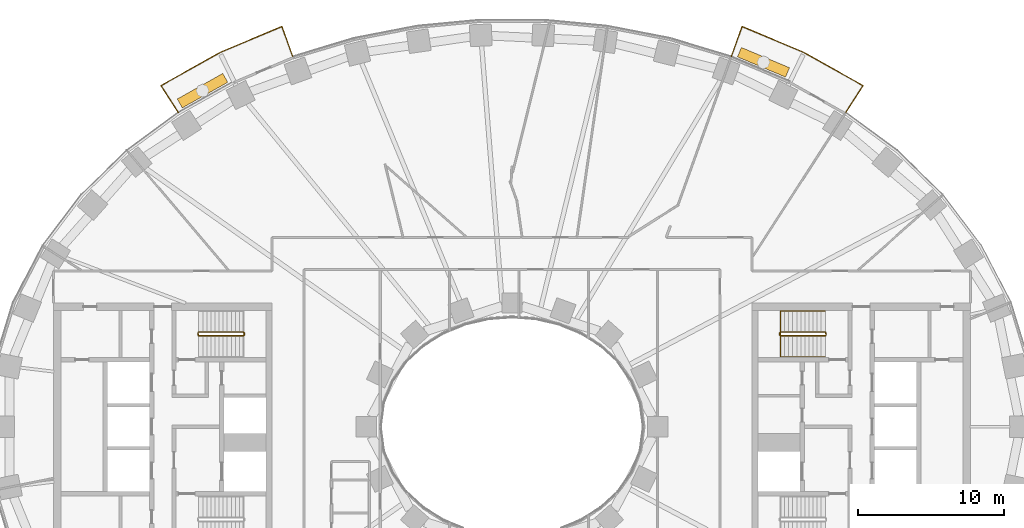
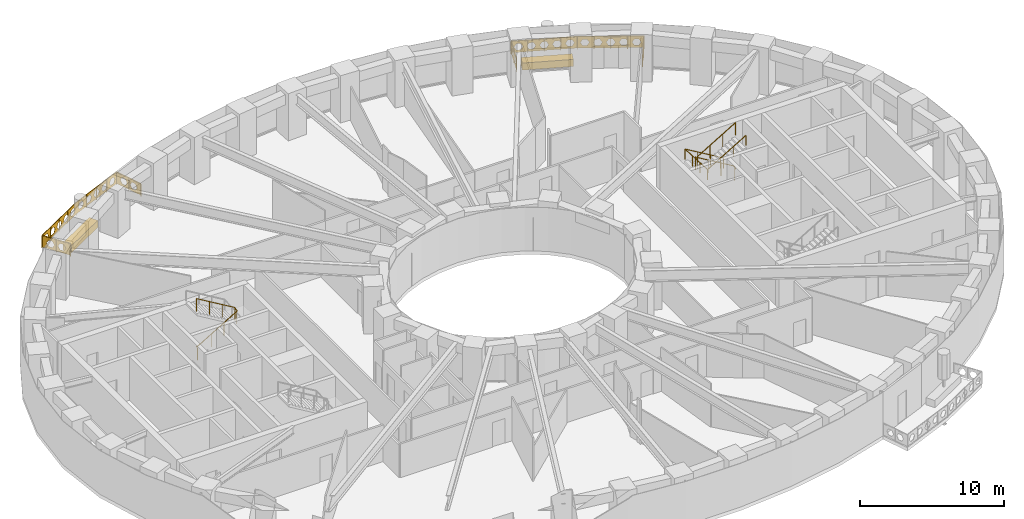
# One storey, part 14 of 15: 5 railings, 2 coverings.
"""IFC4 building model written with IfcOpenShell, lengths in metres."""

import ifcopenshell
import ifcopenshell.guid

model = None  # the IFC model being written
_history = None  # IfcOwnerHistory: only IFC2X3 demands one
_inside = {}  # id of a spatial element -> (the spatial element, [elements in it])
_under = {}  # id of a project, library or spatial element -> (it, [spatial elements below it])
_declared = {}  # id of a project -> (the project, [libraries it declares])
_typed = {}  # id of a type object -> (the type object, [elements of that type])
_made_of = {}  # id of a material, layer set ... -> (it, [elements and type objects made of it])


def new_model(schema):
    """Start an empty IFC model of exactly this schema.

    Asked for "IFC4X3", IfcOpenShell would pick the latest addendum, in which some entities
    have other attributes; the version numbers below select the first issue.
    IFC2X3 requires an IfcOwnerHistory on every rooted entity: one is made here for all.
    """
    global model, _history
    if schema == "IFC4X3":
        model = ifcopenshell.file(schema_version=(4, 3, 0, 0))
    else:
        model = ifcopenshell.file(schema=schema)
    _inside.clear()
    _under.clear()
    _declared.clear()
    _typed.clear()
    _made_of.clear()
    _history = None
    if model.schema == "IFC2X3":
        org = make("IfcOrganization", Name="unknown")
        user = make(
            "IfcPersonAndOrganization",
            ThePerson=make("IfcPerson", FamilyName="unknown"),
            TheOrganization=org,
        )
        app = make(
            "IfcApplication",
            ApplicationDeveloper=org,
            Version="unknown",
            ApplicationFullName="unknown",
            ApplicationIdentifier="unknown",
        )
        _history = make(
            "IfcOwnerHistory",
            OwningUser=user,
            OwningApplication=app,
            ChangeAction="ADDED",
            CreationDate=0,
        )
    return model


def make(cls, **values):
    """One entity of the class cls with the attributes given. An attribute that is None is left unset."""
    return model.create_entity(
        cls, **{name: value for name, value in values.items() if value is not None}
    )


def rooted(cls, **values):
    """An entity with a GlobalId (a new one), such as an element, a storey or a relation."""
    return make(cls, GlobalId=ifcopenshell.guid.new(), OwnerHistory=_history, **values)


def si_unit(unit_type, name, prefix=None):
    """IfcSIUnit, for example si_unit("LENGTHUNIT", "METRE", prefix="MILLI")."""
    return make("IfcSIUnit", UnitType=unit_type, Prefix=prefix, Name=name)


def assignment(units):
    """IfcUnitAssignment: the units of a project."""
    return None if units is None else make("IfcUnitAssignment", Units=units)


def point(xyz):
    """IfcCartesianPoint."""
    return None if xyz is None else make("IfcCartesianPoint", Coordinates=xyz)


def direction(xyz):
    """IfcDirection."""
    return None if xyz is None else make("IfcDirection", DirectionRatios=xyz)


def frame(location, z_axis=None, x_axis=None):
    """IfcAxis2Placement3D, a coordinate frame: its origin and axes. An axis left out is left unset."""
    return make(
        "IfcAxis2Placement3D",
        Location=point(location),
        Axis=direction(z_axis),
        RefDirection=direction(x_axis),
    )


def frame_2d(location, x_axis=None):
    """IfcAxis2Placement2D, a coordinate frame in the plane: its origin and x axis."""
    return make(
        "IfcAxis2Placement2D", Location=point(location), RefDirection=direction(x_axis)
    )


def origin():
    """The frame at (0, 0, 0) with its axes left unset."""
    return frame((0.0, 0.0, 0.0))


def origin_2d():
    """The frame at (0, 0) in the plane with its x axis left unset."""
    return frame_2d((0.0, 0.0))


def place(relative_to, where):
    """IfcLocalPlacement: puts the frame where relative to a parent placement (None: the world)."""
    return make(
        "IfcLocalPlacement", PlacementRelTo=relative_to, RelativePlacement=where
    )


def context(
    kind, dimensions, precision=None, world=None, true_north=None, identifier=None
):
    """IfcGeometricRepresentationContext, for example the 3D "Model" context."""
    return make(
        "IfcGeometricRepresentationContext",
        ContextIdentifier=identifier,
        ContextType=kind,
        CoordinateSpaceDimension=dimensions,
        Precision=precision,
        WorldCoordinateSystem=world,
        TrueNorth=true_north,
    )


def subcontext(parent, identifier, kind, view, scale=None):
    """IfcGeometricRepresentationSubContext, for example "Body" below "Model"."""
    return make(
        "IfcGeometricRepresentationSubContext",
        ContextIdentifier=identifier,
        ContextType=kind,
        ParentContext=parent,
        TargetScale=scale,
        TargetView=view,
    )


def project(units=None, contexts=None):
    """IfcProject with its units and contexts."""
    return rooted(
        "IfcProject",
        Name="project",
        RepresentationContexts=contexts,
        UnitsInContext=assignment(units),
    )


def spatial(cls, under=None, at=None, **own):
    """A site, building, storey or space (cls), placed at a placement, below another one or the project."""
    s = rooted(cls, ObjectPlacement=at, **own)
    if under is not None:
        _under.setdefault(under.id(), (under, []))[1].append(s)
    return s


def polyline(points):
    """IfcPolyline through the points."""
    return make("IfcPolyline", Points=[point(p) for p in points])


def profile(cls, at=None, kind="AREA", **sizes):
    """A parametric profile (cls). Its sizes go by their IFC names, for example OverallWidth=200.0."""
    return make(cls, ProfileType=kind, Position=at, **sizes)


def rectangle(**sizes):
    """IfcRectangleProfileDef."""
    return profile("IfcRectangleProfileDef", **sizes)


def outline(outer, holes=None, kind="AREA"):
    """IfcArbitraryClosedProfileDef: a profile drawn as a closed curve; with holes, ...WithVoids."""
    if holes is None:
        return make("IfcArbitraryClosedProfileDef", ProfileType=kind, OuterCurve=outer)
    return make(
        "IfcArbitraryProfileDefWithVoids",
        ProfileType=kind,
        OuterCurve=outer,
        InnerCurves=holes,
    )


def extrude(swept, where, along, depth):
    """IfcExtrudedAreaSolid: the profile swept, set in the frame where, extruded along a direction by depth."""
    return make(
        "IfcExtrudedAreaSolid",
        SweptArea=swept,
        Position=where,
        ExtrudedDirection=direction(along),
        Depth=depth,
    )


def shape(context_of_items, identifier, shape_type, items):
    """IfcShapeRepresentation: the items that make up one representation, for example the "Body"."""
    return make(
        "IfcShapeRepresentation",
        ContextOfItems=context_of_items,
        RepresentationIdentifier=identifier,
        RepresentationType=shape_type,
        Items=items,
    )


def material(Name=None, Category=None):
    """IfcMaterial."""
    return make("IfcMaterial", Name=Name, Category=Category)


def made_of(thing, what):
    """Note that an element or type object is made of a material, layer set ...; save() writes the relation."""
    if what is not None:
        _made_of.setdefault(what.id(), (what, []))[1].append(thing)
    return thing


def type_object(cls, material=None, **own):
    """A type object (cls), such as IfcWallType, which elements share."""
    return made_of(rooted(cls, **own), material)


def element(
    cls,
    number,
    at=None,
    inside=None,
    cuts=None,
    type_object=None,
    material=None,
    context=None,
    identifier="Body",
    shape_type=None,
    held_by="IfcProductDefinitionShape",
    body=None,
    shapes=None,
    **own,
):
    """One element of the class cls, such as IfcWall. Its Tag is "e" and its number.

    at: its placement. inside: the storey or other place that contains it. cuts: it is an
    opening in that element (IfcRelVoidsElement). A single representation is given by context,
    identifier, shape_type and body (its items); several are given by shapes. held_by: the class
    of the entity that holds the representations. save() writes the other relations.
    """
    e = rooted(cls, Tag="e%d" % number, ObjectPlacement=at, **own)
    if body is not None:
        shapes = [shape(context, identifier, shape_type, body)]
    if shapes is not None:
        e.Representation = make(held_by, Representations=shapes)
    if inside is not None:
        _inside.setdefault(inside.id(), (inside, []))[1].append(e)
    if cuts is not None:
        rooted(
            "IfcRelVoidsElement", RelatingBuildingElement=cuts, RelatedOpeningElement=e
        )
    if type_object is not None:
        _typed.setdefault(type_object.id(), (type_object, []))[1].append(e)
    return made_of(e, material)


def aggregate(whole, parts):
    """IfcRelAggregates: a whole, such as a stair, and the parts it consists of."""
    return rooted("IfcRelAggregates", RelatingObject=whole, RelatedObjects=parts)


def save(model, path):
    """Write the relations noted so far, then the file.

    IfcRelAggregates (storeys below a building ...), IfcRelContainedInSpatialStructure (elements
    in a storey), IfcRelDefinesByType, IfcRelAssociatesMaterial and IfcRelDeclares: one each for
    every whole, place, type object, material and project.
    """
    for whole, parts in _under.values():
        aggregate(whole, parts)
    for where, things in _inside.values():
        rooted(
            "IfcRelContainedInSpatialStructure",
            RelatedElements=things,
            RelatingStructure=where,
        )
    for kind, things in _typed.values():
        rooted("IfcRelDefinesByType", RelatedObjects=things, RelatingType=kind)
    for what, things in _made_of.values():
        rooted("IfcRelAssociatesMaterial", RelatedObjects=things, RelatingMaterial=what)
    for by, libraries in _declared.values():
        rooted("IfcRelDeclares", RelatingContext=by, RelatedDefinitions=libraries)
    model.write(path)


model = new_model("IFC4")

# Units and contexts
model_context = context("Model", 3, precision=1e-05, world=origin(), true_north=direction((0.0, 1.0)))
body_context = subcontext(model_context, "Body", "Model", "MODEL_VIEW")
ifc_project = project(units=[si_unit("LENGTHUNIT", "METRE"), si_unit("AREAUNIT", "SQUARE_METRE"), si_unit("VOLUMEUNIT", "CUBIC_METRE"), si_unit("PLANEANGLEUNIT", "RADIAN"), si_unit("MASSUNIT", "GRAM", prefix="KILO")], contexts=[model_context])

# Site, building, storey
site_placement = place(None, origin())
site = spatial("IfcSite", under=ifc_project, at=site_placement, CompositionType="ELEMENT")
building_placement = place(site_placement, origin())
building = spatial("IfcBuilding", under=site, at=building_placement, Name="Noorbagh Ring Tower", CompositionType="ELEMENT")
storey_placement = place(building_placement, frame((0.0, 0.0, 38.5)))
storey = spatial("IfcBuildingStorey", under=building, at=storey_placement, Name="L07", CompositionType="ELEMENT", Elevation=38.5)

# Railings
ifc_material_1 = material(Name="Stainless steel", Category="steel")
railing_type_1 = type_object("IfcRailingType", Name="CORE-STAIR-GUARD", PredefinedType="GUARDRAIL", material=ifc_material_1)
railing_1_placement = place(storey_placement, frame((-21.580078125, 6.300048828125, 0.0)))
element("IfcRailing", 1, at=railing_1_placement, inside=storey, type_object=railing_type_1, Name="L07 ST1 stair guard", PredefinedType="GUARDRAIL", context=body_context, shape_type="SweptSolid", body=[
    extrude(rectangle(XDim=0.048095703125, YDim=0.048095703125, at=origin_2d()), frame((0.0, 0.0, 1.076171875), z_axis=(0.0, 1.0, 0.0), x_axis=(-1.0, 0.0, 0.0)), (0.0, 0.0, 1.0), 0.14990234375),
    extrude(rectangle(XDim=0.048095703125, YDim=0.048095703125, at=origin_2d()), frame((0.0, 0.14990234375, 1.076171875), z_axis=(0.188775798145, -0.754182335027, 0.628945707965), x_axis=(0.970072785993, 0.242814311512, 0.0)), (0.0, 0.0, 1.0), 0.26513671875),
    extrude(rectangle(XDim=0.048095703125, YDim=0.048095703125, at=origin_2d()), frame((0.050048828125, -0.050048828125, 1.24267578125), z_axis=(0.859308565015, 0.0, 0.511457515432), x_axis=(0.0, 1.0, 0.0)), (0.0, 0.0, 1.0), 3.58447265625),
    extrude(rectangle(XDim=0.048095703125, YDim=0.048095703125, at=origin_2d()), frame((3.130126953125, -0.050048828125, 3.076171875), z_axis=(0.707106781187, 0.707106781187, 0.0), x_axis=(-0.707106781187, 0.707106781187, 0.0)), (0.0, 0.0, 1.0), 0.07080078125),
    extrude(rectangle(XDim=0.048095703125, YDim=0.048095703125, at=origin_2d()), frame((3.18017578125, 0.0, 3.076171875), z_axis=(0.0, 1.0, 0.0), x_axis=(-1.0, 0.0, 0.0)), (0.0, 0.0, 1.0), 0.14990234375),
    extrude(rectangle(XDim=0.048095703125, YDim=0.048095703125, at=origin_2d()), frame((3.18017578125, 0.14990234375, 3.076171875), z_axis=(-0.27628659633, 0.27628659633, 0.920506074601), x_axis=(-0.707106781187, -0.707106781187, 0.0)), (0.0, 0.0, 1.0), 0.18115234375),
    extrude(rectangle(XDim=0.048095703125, YDim=0.048095703125, at=origin_2d()), frame((3.130126953125, 0.199951171875, 3.24267578125), z_axis=(-0.859308565015, 0.0, 0.511457515432), x_axis=(0.0, -1.0, 0.0)), (0.0, 0.0, 1.0), 3.58447265625),
    extrude(rectangle(XDim=0.0419921875, YDim=0.0419921875, at=origin_2d()), origin(), (0.0, 0.0, 1.0), 1.052001953125),
    extrude(rectangle(XDim=0.0419921875, YDim=0.0419921875, at=origin_2d()), frame((1.07666015625, -0.050048828125, 0.77783203125)), (0.0, 0.0, 1.0), 1.052001953125),
    extrude(rectangle(XDim=0.0419921875, YDim=0.0419921875, at=origin_2d()), frame((2.103515625, -0.050048828125, 1.388916015625)), (0.0, 0.0, 1.0), 1.052001953125),
    extrude(rectangle(XDim=0.0419921875, YDim=0.0419921875, at=origin_2d()), frame((3.130126953125, -0.050048828125, 2.0)), (0.0, 0.0, 1.0), 1.052001953125),
    extrude(rectangle(XDim=0.0419921875, YDim=0.0419921875, at=origin_2d()), frame((3.130126953125, 0.199951171875, 2.166748046875)), (0.0, 0.0, 1.0), 1.052001953125),
    extrude(rectangle(XDim=0.0419921875, YDim=0.0419921875, at=origin_2d()), frame((2.103515625, 0.199951171875, 2.77783203125)), (0.0, 0.0, 1.0), 1.052001953125),
    extrude(rectangle(XDim=0.0419921875, YDim=0.0419921875, at=origin_2d()), frame((1.07666015625, 0.199951171875, 3.388916015625)), (0.0, 0.0, 1.0), 1.052001953125),
    extrude(rectangle(XDim=0.0419921875, YDim=0.0419921875, at=origin_2d()), frame((0.050048828125, 0.199951171875, 4.0)), (0.0, 0.0, 1.0), 1.052001953125),
])
railing_2_placement = place(storey_placement, frame((21.580078125, 6.449951171875, 0.0)))
element("IfcRailing", 2, at=railing_2_placement, inside=storey, type_object=railing_type_1, Name="L07 ST3 stair guard", PredefinedType="GUARDRAIL", context=body_context, shape_type="SweptSolid", body=[
    extrude(rectangle(XDim=0.048095703125, YDim=0.048095703125, at=origin_2d()), frame((0.0, 0.0, 1.076171875), z_axis=(0.0, -1.0, 0.0), x_axis=(1.0, 0.0, 0.0)), (0.0, 0.0, 1.0), 0.14990234375),
    extrude(rectangle(XDim=0.048095703125, YDim=0.048095703125, at=origin_2d()), frame((0.0, -0.14990234375, 1.076171875), z_axis=(-0.188775798145, 0.754182335027, 0.628945707965), x_axis=(-0.970072785993, -0.242814311512, 0.0)), (0.0, 0.0, 1.0), 0.26513671875),
    extrude(rectangle(XDim=0.048095703125, YDim=0.048095703125, at=origin_2d()), frame((-0.050048828125, 0.050048828125, 1.24267578125), z_axis=(-0.859308565015, 0.0, 0.511457515432), x_axis=(0.0, -1.0, 0.0)), (0.0, 0.0, 1.0), 3.58447265625),
    extrude(rectangle(XDim=0.048095703125, YDim=0.048095703125, at=origin_2d()), frame((-3.130126953125, 0.050048828125, 3.076171875), z_axis=(-0.707106781187, -0.707106781187, 0.0), x_axis=(0.707106781187, -0.707106781187, 0.0)), (0.0, 0.0, 1.0), 0.07080078125),
    extrude(rectangle(XDim=0.048095703125, YDim=0.048095703125, at=origin_2d()), frame((-3.18017578125, 0.0, 3.076171875), z_axis=(0.0, -1.0, 0.0), x_axis=(1.0, 0.0, 0.0)), (0.0, 0.0, 1.0), 0.14990234375),
    extrude(rectangle(XDim=0.048095703125, YDim=0.048095703125, at=origin_2d()), frame((-3.18017578125, -0.14990234375, 3.076171875), z_axis=(0.27628659633, -0.27628659633, 0.920506074601), x_axis=(0.707106781187, 0.707106781187, 0.0)), (0.0, 0.0, 1.0), 0.18115234375),
    extrude(rectangle(XDim=0.048095703125, YDim=0.048095703125, at=origin_2d()), frame((-3.130126953125, -0.199951171875, 3.24267578125), z_axis=(0.859308565015, 0.0, 0.511457515432), x_axis=(0.0, 1.0, 0.0)), (0.0, 0.0, 1.0), 3.58447265625),
    extrude(rectangle(XDim=0.0419921875, YDim=0.0419921875, at=origin_2d()), origin(), (0.0, 0.0, 1.0), 1.052001953125),
    extrude(rectangle(XDim=0.0419921875, YDim=0.0419921875, at=origin_2d()), frame((-1.07666015625, 0.050048828125, 0.77783203125)), (0.0, 0.0, 1.0), 1.052001953125),
    extrude(rectangle(XDim=0.0419921875, YDim=0.0419921875, at=origin_2d()), frame((-2.103515625, 0.050048828125, 1.388916015625)), (0.0, 0.0, 1.0), 1.052001953125),
    extrude(rectangle(XDim=0.0419921875, YDim=0.0419921875, at=origin_2d()), frame((-3.130126953125, 0.050048828125, 2.0)), (0.0, 0.0, 1.0), 1.052001953125),
    extrude(rectangle(XDim=0.0419921875, YDim=0.0419921875, at=origin_2d()), frame((-3.130126953125, -0.199951171875, 2.166748046875)), (0.0, 0.0, 1.0), 1.052001953125),
    extrude(rectangle(XDim=0.0419921875, YDim=0.0419921875, at=origin_2d()), frame((-2.103515625, -0.199951171875, 2.77783203125)), (0.0, 0.0, 1.0), 1.052001953125),
    extrude(rectangle(XDim=0.0419921875, YDim=0.0419921875, at=origin_2d()), frame((-1.07666015625, -0.199951171875, 3.388916015625)), (0.0, 0.0, 1.0), 1.052001953125),
    extrude(rectangle(XDim=0.0419921875, YDim=0.0419921875, at=origin_2d()), frame((-0.050048828125, -0.199951171875, 4.0)), (0.0, 0.0, 1.0), 1.052001953125),
])
ifc_material_2 = material(Name="Stainless steel", Category="steel")
railing_type_2 = type_object("IfcRailingType", Name="CORE-STAIR-HANDRAIL", PredefinedType="HANDRAIL", material=ifc_material_2)
railing_3_placement = place(storey_placement, frame((21.530029296875, 7.949951171875, 0.166748046875)))
element("IfcRailing", 3, at=railing_3_placement, inside=storey, type_object=railing_type_2, Name="L07 ST3 stair handrail", PredefinedType="HANDRAIL", context=body_context, shape_type="SweptSolid", body=[
    extrude(rectangle(XDim=0.048095703125, YDim=0.048095703125, at=origin_2d()), frame((0.0, 0.0, 0.8759765625), z_axis=(-0.859308565015, 0.0, 0.511457515432), x_axis=(0.0, -1.0, 0.0)), (0.0, 0.0, 1.0), 3.58447265625),
    extrude(rectangle(XDim=0.048095703125, YDim=0.048095703125, at=origin_2d()), frame((-3.080078125, 0.0, 2.708984375), z_axis=(0.0, -0.998601747152, 0.052863509014), x_axis=(1.0, 0.0, 0.0)), (0.0, 0.0, 1.0), 3.154296875),
    extrude(rectangle(XDim=0.048095703125, YDim=0.048095703125, at=origin_2d()), frame((-3.080078125, -3.14990234375, 2.8759765625), z_axis=(0.859308565015, 0.0, 0.511457515432), x_axis=(0.0, 1.0, 0.0)), (0.0, 0.0, 1.0), 3.58447265625),
    extrude(rectangle(XDim=0.0419921875, YDim=0.0419921875, at=origin_2d()), origin(), (0.0, 0.0, 1.0), 0.851806640625),
    extrude(rectangle(XDim=0.0419921875, YDim=0.0419921875, at=origin_2d()), frame((-1.026611328125, 0.0, 0.611083984375)), (0.0, 0.0, 1.0), 0.851806640625),
    extrude(rectangle(XDim=0.0419921875, YDim=0.0419921875, at=origin_2d()), frame((-2.053466796875, 0.0, 1.22216796875)), (0.0, 0.0, 1.0), 0.851806640625),
    extrude(rectangle(XDim=0.0419921875, YDim=0.0419921875, at=origin_2d()), frame((-3.080078125, 0.0, 1.833251953125)), (0.0, 0.0, 1.0), 0.851806640625),
    extrude(rectangle(XDim=0.0419921875, YDim=0.0419921875, at=origin_2d()), frame((-3.080078125, -1.050048828125, 1.888916015625)), (0.0, 0.0, 1.0), 0.851806640625),
    extrude(rectangle(XDim=0.0419921875, YDim=0.0419921875, at=origin_2d()), frame((-3.080078125, -2.099853515625, 1.9443359375)), (0.0, 0.0, 1.0), 0.851806640625),
    extrude(rectangle(XDim=0.0419921875, YDim=0.0419921875, at=origin_2d()), frame((-3.080078125, -3.14990234375, 2.0)), (0.0, 0.0, 1.0), 0.851806640625),
    extrude(rectangle(XDim=0.0419921875, YDim=0.0419921875, at=origin_2d()), frame((-2.053466796875, -3.14990234375, 2.611083984375)), (0.0, 0.0, 1.0), 0.851806640625),
    extrude(rectangle(XDim=0.0419921875, YDim=0.0419921875, at=origin_2d()), frame((-1.026611328125, -3.14990234375, 3.22216796875)), (0.0, 0.0, 1.0), 0.851806640625),
    extrude(rectangle(XDim=0.0419921875, YDim=0.0419921875, at=origin_2d()), frame((0.0, -3.14990234375, 3.833251953125)), (0.0, 0.0, 1.0), 0.851806640625),
])
ifc_material_3 = material(Name="Steel S275 black powder-coated", Category="steel")
railing_type_3 = type_object("IfcRailingType", Name="ENV-GUARD", PredefinedType="GUARDRAIL", material=ifc_material_3)
railing_4_placement = place(storey_placement, frame((22.9326171875, 21.583740234375, 0.0)))
element("IfcRailing", 4, at=railing_4_placement, inside=storey, type_object=railing_type_3, Name="Balcony guard BN02", PredefinedType="GUARDRAIL", context=body_context, shape_type="SweptSolid", body=[
    extrude(rectangle(XDim=0.048095703125, YDim=0.048095703125, at=origin_2d()), frame((0.0, 0.0, 1.076171875), z_axis=(0.542268136821, 0.840205491406, 0.0), x_axis=(-0.840205491406, 0.542268136821, 0.0)), (0.0, 0.0, 1.0), 2.204345703125),
    extrude(rectangle(XDim=0.048095703125, YDim=0.048095703125, at=origin_2d()), frame((1.1953125, 1.85205078125, 1.076171875), z_axis=(-0.872052247658, 0.489412788303, 0.0), x_axis=(-0.489412788303, -0.872052247658, 0.0)), (0.0, 0.0, 1.0), 4.646240234375),
    extrude(rectangle(XDim=0.048095703125, YDim=0.048095703125, at=origin_2d()), frame((-2.8564453125, 4.1259765625, 1.076171875), z_axis=(-0.921809087722, 0.387644174203, 0.0), x_axis=(-0.387644174203, -0.921809087722, 0.0)), (0.0, 0.0, 1.0), 4.627197265625),
    extrude(rectangle(XDim=0.048095703125, YDim=0.048095703125, at=origin_2d()), frame((-7.121826171875, 5.919677734375, 1.076171875), z_axis=(-0.338350546839, -0.941020141896, 0.0), x_axis=(0.941020141896, -0.338350546839, 0.0)), (0.0, 0.0, 1.0), 2.202880859375),
    extrude(rectangle(XDim=0.0419921875, YDim=0.0419921875, at=origin_2d()), origin(), (0.0, 0.0, 1.0), 1.052001953125),
    extrude(rectangle(XDim=0.0419921875, YDim=0.0419921875, at=origin_2d()), frame((0.59765625, 0.926025390625, 0.0)), (0.0, 0.0, 1.0), 1.052001953125),
    extrude(rectangle(XDim=0.0419921875, YDim=0.0419921875, at=origin_2d()), frame((1.1953125, 1.85205078125, 0.0)), (0.0, 0.0, 1.0), 1.052001953125),
    extrude(rectangle(XDim=0.0419921875, YDim=0.0419921875, at=origin_2d()), frame((0.182373046875, 2.42041015625, 0.0)), (0.0, 0.0, 1.0), 1.052001953125),
    extrude(rectangle(XDim=0.0419921875, YDim=0.0419921875, at=origin_2d()), frame((-0.83056640625, 2.989013671875, 0.0)), (0.0, 0.0, 1.0), 1.052001953125),
    extrude(rectangle(XDim=0.0419921875, YDim=0.0419921875, at=origin_2d()), frame((-1.843505859375, 3.5576171875, 0.0)), (0.0, 0.0, 1.0), 1.052001953125),
    extrude(rectangle(XDim=0.0419921875, YDim=0.0419921875, at=origin_2d()), frame((-2.8564453125, 4.1259765625, 0.0)), (0.0, 0.0, 1.0), 1.052001953125),
    extrude(rectangle(XDim=0.0419921875, YDim=0.0419921875, at=origin_2d()), frame((-3.9228515625, 4.574462890625, 0.0)), (0.0, 0.0, 1.0), 1.052001953125),
    extrude(rectangle(XDim=0.0419921875, YDim=0.0419921875, at=origin_2d()), frame((-4.9892578125, 5.02294921875, 0.0)), (0.0, 0.0, 1.0), 1.052001953125),
    extrude(rectangle(XDim=0.0419921875, YDim=0.0419921875, at=origin_2d()), frame((-6.055419921875, 5.47119140625, 0.0)), (0.0, 0.0, 1.0), 1.052001953125),
    extrude(rectangle(XDim=0.0419921875, YDim=0.0419921875, at=origin_2d()), frame((-7.121826171875, 5.919677734375, 0.0)), (0.0, 0.0, 1.0), 1.052001953125),
    extrude(rectangle(XDim=0.0419921875, YDim=0.0419921875, at=origin_2d()), frame((-7.49462890625, 4.88330078125, 0.0)), (0.0, 0.0, 1.0), 1.052001953125),
    extrude(rectangle(XDim=0.0419921875, YDim=0.0419921875, at=origin_2d()), frame((-7.8671875, 3.8466796875, 0.0)), (0.0, 0.0, 1.0), 1.052001953125),
    extrude(outline(polyline([(0.0, 0.10009765625), (2.204345703125, 0.10009765625), (2.204345703125, 1.031982421875), (0.0, 1.031982421875), (0.0, 0.10009765625)]), holes=[polyline([(0.962158203125, 0.56591796875), (0.80712890625, 0.83447265625), (0.4970703125, 0.83447265625), (0.342041015625, 0.56591796875), (0.4970703125, 0.297607421875), (0.80712890625, 0.297607421875), (0.962158203125, 0.56591796875)]), polyline([(1.862060546875, 0.56591796875), (1.70703125, 0.83447265625), (1.397216796875, 0.83447265625), (1.2421875, 0.56591796875), (1.397216796875, 0.297607421875), (1.70703125, 0.297607421875), (1.862060546875, 0.56591796875)])]), frame((-0.00830078125, 0.00537109375, 0.0), z_axis=(0.840205491406, -0.542268136821, 0.0), x_axis=(0.542268136821, 0.840205491406, 0.0)), (0.0, 0.0, 1.0), 0.02001953125),
    extrude(outline(polyline([(0.0, 0.10009765625), (4.646240234375, 0.10009765625), (4.646240234375, 1.031982421875), (0.0, 1.031982421875), (0.0, 0.10009765625)]), holes=[polyline([(0.8330078125, 0.56591796875), (0.67822265625, 0.83447265625), (0.3681640625, 0.83447265625), (0.213134765625, 0.56591796875), (0.3681640625, 0.297607421875), (0.67822265625, 0.297607421875), (0.8330078125, 0.56591796875)]), polyline([(1.733154296875, 0.56591796875), (1.578125, 0.83447265625), (1.26806640625, 0.83447265625), (1.113037109375, 0.56591796875), (1.26806640625, 0.297607421875), (1.578125, 0.297607421875), (1.733154296875, 0.56591796875)]), polyline([(2.633056640625, 0.56591796875), (2.47802734375, 0.83447265625), (2.168212890625, 0.83447265625), (2.01318359375, 0.56591796875), (2.168212890625, 0.297607421875), (2.47802734375, 0.297607421875), (2.633056640625, 0.56591796875)]), polyline([(3.533203125, 0.56591796875), (3.378173828125, 0.83447265625), (3.068115234375, 0.83447265625), (2.9130859375, 0.56591796875), (3.068115234375, 0.297607421875), (3.378173828125, 0.297607421875), (3.533203125, 0.56591796875)]), polyline([(4.43310546875, 0.56591796875), (4.278076171875, 0.83447265625), (3.968017578125, 0.83447265625), (3.813232421875, 0.56591796875), (3.968017578125, 0.297607421875), (4.278076171875, 0.297607421875), (4.43310546875, 0.56591796875)])]), frame((1.1904296875, 1.84326171875, 0.0), z_axis=(0.489412788303, 0.872052247658, 0.0), x_axis=(-0.872052247658, 0.489412788303, 0.0)), (0.0, 0.0, 1.0), 0.02001953125),
    extrude(outline(polyline([(0.0, 0.10009765625), (4.627197265625, 0.10009765625), (4.627197265625, 1.031982421875), (0.0, 1.031982421875), (0.0, 0.10009765625)]), holes=[polyline([(0.823486328125, 0.56591796875), (0.668701171875, 0.83447265625), (0.358642578125, 0.83447265625), (0.20361328125, 0.56591796875), (0.358642578125, 0.297607421875), (0.668701171875, 0.297607421875), (0.823486328125, 0.56591796875)]), polyline([(1.7236328125, 0.56591796875), (1.568603515625, 0.83447265625), (1.258544921875, 0.83447265625), (1.103515625, 0.56591796875), (1.258544921875, 0.297607421875), (1.568603515625, 0.297607421875), (1.7236328125, 0.56591796875)]), polyline([(2.62353515625, 0.56591796875), (2.468505859375, 0.83447265625), (2.15869140625, 0.83447265625), (2.003662109375, 0.56591796875), (2.15869140625, 0.297607421875), (2.468505859375, 0.297607421875), (2.62353515625, 0.56591796875)]), polyline([(3.523681640625, 0.56591796875), (3.36865234375, 0.83447265625), (3.05859375, 0.83447265625), (2.903564453125, 0.56591796875), (3.05859375, 0.297607421875), (3.36865234375, 0.297607421875), (3.523681640625, 0.56591796875)]), polyline([(4.423583984375, 0.56591796875), (4.2685546875, 0.83447265625), (3.95849609375, 0.83447265625), (3.8037109375, 0.56591796875), (3.95849609375, 0.297607421875), (4.2685546875, 0.297607421875), (4.423583984375, 0.56591796875)])]), frame((-2.8603515625, 4.11669921875, 0.0), z_axis=(0.387644174203, 0.921809087722, 0.0), x_axis=(-0.921809087722, 0.387644174203, 0.0)), (0.0, 0.0, 1.0), 0.02001953125),
    extrude(outline(polyline([(0.0, 0.10009765625), (2.202880859375, 0.10009765625), (2.202880859375, 1.031982421875), (0.0, 1.031982421875), (0.0, 0.10009765625)]), holes=[polyline([(0.96142578125, 0.56591796875), (0.806396484375, 0.83447265625), (0.49658203125, 0.83447265625), (0.341552734375, 0.56591796875), (0.49658203125, 0.297607421875), (0.806396484375, 0.297607421875), (0.96142578125, 0.56591796875)]), polyline([(1.861572265625, 0.56591796875), (1.70654296875, 0.83447265625), (1.396484375, 0.83447265625), (1.241455078125, 0.56591796875), (1.396484375, 0.297607421875), (1.70654296875, 0.297607421875), (1.861572265625, 0.56591796875)])]), frame((-7.1123046875, 5.916259765625, 0.0), z_axis=(-0.941020141896, 0.338350546839, 0.0), x_axis=(-0.338350546839, -0.941020141896, 0.0)), (0.0, 0.0, 1.0), 0.02001953125),
])
railing_5_placement = place(storey_placement, frame((-15.0654296875, 25.430419921875, 0.0)))
element("IfcRailing", 5, at=railing_5_placement, inside=storey, type_object=railing_type_3, Name="Balcony guard BN05", PredefinedType="GUARDRAIL", context=body_context, shape_type="SweptSolid", body=[
    extrude(rectangle(XDim=0.048095703125, YDim=0.048095703125, at=origin_2d()), frame((0.0, 0.0, 1.076171875), z_axis=(-0.338350546839, 0.941020141896, 0.0), x_axis=(-0.941020141896, -0.338350546839, 0.0)), (0.0, 0.0, 1.0), 2.202880859375),
    extrude(rectangle(XDim=0.048095703125, YDim=0.048095703125, at=origin_2d()), frame((-0.745361328125, 2.072998046875, 1.076171875), z_axis=(-0.921809087722, -0.387644174203, 0.0), x_axis=(0.387644174203, -0.921809087722, 0.0)), (0.0, 0.0, 1.0), 4.627197265625),
    extrude(rectangle(XDim=0.048095703125, YDim=0.048095703125, at=origin_2d()), frame((-5.0107421875, 0.279296875, 1.076171875), z_axis=(-0.872052247658, -0.489412788303, 0.0), x_axis=(0.489412788303, -0.872052247658, 0.0)), (0.0, 0.0, 1.0), 4.646240234375),
    extrude(rectangle(XDim=0.048095703125, YDim=0.048095703125, at=origin_2d()), frame((-9.0625, -1.99462890625, 1.076171875), z_axis=(0.542268136821, -0.840205491406, 0.0), x_axis=(0.840205491406, 0.542268136821, 0.0)), (0.0, 0.0, 1.0), 2.204345703125),
    extrude(rectangle(XDim=0.0419921875, YDim=0.0419921875, at=origin_2d()), origin(), (0.0, 0.0, 1.0), 1.052001953125),
    extrude(rectangle(XDim=0.0419921875, YDim=0.0419921875, at=origin_2d()), frame((-0.37255859375, 1.03662109375, 0.0)), (0.0, 0.0, 1.0), 1.052001953125),
    extrude(rectangle(XDim=0.0419921875, YDim=0.0419921875, at=origin_2d()), frame((-0.745361328125, 2.072998046875, 0.0)), (0.0, 0.0, 1.0), 1.052001953125),
    extrude(rectangle(XDim=0.0419921875, YDim=0.0419921875, at=origin_2d()), frame((-1.811767578125, 1.62451171875, 0.0)), (0.0, 0.0, 1.0), 1.052001953125),
    extrude(rectangle(XDim=0.0419921875, YDim=0.0419921875, at=origin_2d()), frame((-2.8779296875, 1.17626953125, 0.0)), (0.0, 0.0, 1.0), 1.052001953125),
    extrude(rectangle(XDim=0.0419921875, YDim=0.0419921875, at=origin_2d()), frame((-3.9443359375, 0.727783203125, 0.0)), (0.0, 0.0, 1.0), 1.052001953125),
    extrude(rectangle(XDim=0.0419921875, YDim=0.0419921875, at=origin_2d()), frame((-5.0107421875, 0.279296875, 0.0)), (0.0, 0.0, 1.0), 1.052001953125),
    extrude(rectangle(XDim=0.0419921875, YDim=0.0419921875, at=origin_2d()), frame((-6.023681640625, -0.2890625, 0.0)), (0.0, 0.0, 1.0), 1.052001953125),
    extrude(rectangle(XDim=0.0419921875, YDim=0.0419921875, at=origin_2d()), frame((-7.03662109375, -0.857666015625, 0.0)), (0.0, 0.0, 1.0), 1.052001953125),
    extrude(rectangle(XDim=0.0419921875, YDim=0.0419921875, at=origin_2d()), frame((-8.049560546875, -1.42626953125, 0.0)), (0.0, 0.0, 1.0), 1.052001953125),
    extrude(rectangle(XDim=0.0419921875, YDim=0.0419921875, at=origin_2d()), frame((-9.0625, -1.99462890625, 0.0)), (0.0, 0.0, 1.0), 1.052001953125),
    extrude(rectangle(XDim=0.0419921875, YDim=0.0419921875, at=origin_2d()), frame((-8.46484375, -2.920654296875, 0.0)), (0.0, 0.0, 1.0), 1.052001953125),
    extrude(rectangle(XDim=0.0419921875, YDim=0.0419921875, at=origin_2d()), frame((-7.8671875, -3.8466796875, 0.0)), (0.0, 0.0, 1.0), 1.052001953125),
    extrude(outline(polyline([(0.0, 0.10009765625), (2.202880859375, 0.10009765625), (2.202880859375, 1.031982421875), (0.0, 1.031982421875), (0.0, 0.10009765625)]), holes=[polyline([(0.96142578125, 0.56591796875), (0.806396484375, 0.83447265625), (0.49658203125, 0.83447265625), (0.341552734375, 0.56591796875), (0.49658203125, 0.297607421875), (0.806396484375, 0.297607421875), (0.96142578125, 0.56591796875)]), polyline([(1.861572265625, 0.56591796875), (1.70654296875, 0.83447265625), (1.396484375, 0.83447265625), (1.241455078125, 0.56591796875), (1.396484375, 0.297607421875), (1.70654296875, 0.297607421875), (1.861572265625, 0.56591796875)])]), frame((-0.009521484375, -0.00341796875, 0.0), z_axis=(0.941020141896, 0.338350546839, 0.0), x_axis=(-0.338350546839, 0.941020141896, 0.0)), (0.0, 0.0, 1.0), 0.02001953125),
    extrude(outline(polyline([(0.0, 0.10009765625), (4.627197265625, 0.10009765625), (4.627197265625, 1.031982421875), (0.0, 1.031982421875), (0.0, 0.10009765625)]), holes=[polyline([(0.823486328125, 0.56591796875), (0.668701171875, 0.83447265625), (0.358642578125, 0.83447265625), (0.20361328125, 0.56591796875), (0.358642578125, 0.297607421875), (0.668701171875, 0.297607421875), (0.823486328125, 0.56591796875)]), polyline([(1.7236328125, 0.56591796875), (1.568603515625, 0.83447265625), (1.258544921875, 0.83447265625), (1.103515625, 0.56591796875), (1.258544921875, 0.297607421875), (1.568603515625, 0.297607421875), (1.7236328125, 0.56591796875)]), polyline([(2.62353515625, 0.56591796875), (2.468505859375, 0.83447265625), (2.15869140625, 0.83447265625), (2.003662109375, 0.56591796875), (2.15869140625, 0.297607421875), (2.468505859375, 0.297607421875), (2.62353515625, 0.56591796875)]), polyline([(3.523681640625, 0.56591796875), (3.36865234375, 0.83447265625), (3.05859375, 0.83447265625), (2.903564453125, 0.56591796875), (3.05859375, 0.297607421875), (3.36865234375, 0.297607421875), (3.523681640625, 0.56591796875)]), polyline([(4.423583984375, 0.56591796875), (4.2685546875, 0.83447265625), (3.95849609375, 0.83447265625), (3.8037109375, 0.56591796875), (3.95849609375, 0.297607421875), (4.2685546875, 0.297607421875), (4.423583984375, 0.56591796875)])]), frame((-0.741455078125, 2.063720703125, 0.0), z_axis=(-0.387644174203, 0.921809087722, 0.0), x_axis=(-0.921809087722, -0.387644174203, 0.0)), (0.0, 0.0, 1.0), 0.02001953125),
    extrude(outline(polyline([(0.0, 0.10009765625), (4.646240234375, 0.10009765625), (4.646240234375, 1.031982421875), (0.0, 1.031982421875), (0.0, 0.10009765625)]), holes=[polyline([(0.8330078125, 0.56591796875), (0.67822265625, 0.83447265625), (0.3681640625, 0.83447265625), (0.213134765625, 0.56591796875), (0.3681640625, 0.297607421875), (0.67822265625, 0.297607421875), (0.8330078125, 0.56591796875)]), polyline([(1.733154296875, 0.56591796875), (1.578125, 0.83447265625), (1.26806640625, 0.83447265625), (1.113037109375, 0.56591796875), (1.26806640625, 0.297607421875), (1.578125, 0.297607421875), (1.733154296875, 0.56591796875)]), polyline([(2.633056640625, 0.56591796875), (2.47802734375, 0.83447265625), (2.168212890625, 0.83447265625), (2.01318359375, 0.56591796875), (2.168212890625, 0.297607421875), (2.47802734375, 0.297607421875), (2.633056640625, 0.56591796875)]), polyline([(3.533203125, 0.56591796875), (3.378173828125, 0.83447265625), (3.068115234375, 0.83447265625), (2.9130859375, 0.56591796875), (3.068115234375, 0.297607421875), (3.378173828125, 0.297607421875), (3.533203125, 0.56591796875)]), polyline([(4.43310546875, 0.56591796875), (4.278076171875, 0.83447265625), (3.968017578125, 0.83447265625), (3.813232421875, 0.56591796875), (3.968017578125, 0.297607421875), (4.278076171875, 0.297607421875), (4.43310546875, 0.56591796875)])]), frame((-5.005859375, 0.2705078125, 0.0), z_axis=(-0.489412788303, 0.872052247658, 0.0), x_axis=(-0.872052247658, -0.489412788303, 0.0)), (0.0, 0.0, 1.0), 0.02001953125),
    extrude(outline(polyline([(0.0, 0.10009765625), (2.204345703125, 0.10009765625), (2.204345703125, 1.031982421875), (0.0, 1.031982421875), (0.0, 0.10009765625)]), holes=[polyline([(0.962158203125, 0.56591796875), (0.80712890625, 0.83447265625), (0.4970703125, 0.83447265625), (0.342041015625, 0.56591796875), (0.4970703125, 0.297607421875), (0.80712890625, 0.297607421875), (0.962158203125, 0.56591796875)]), polyline([(1.862060546875, 0.56591796875), (1.70703125, 0.83447265625), (1.397216796875, 0.83447265625), (1.2421875, 0.56591796875), (1.397216796875, 0.297607421875), (1.70703125, 0.297607421875), (1.862060546875, 0.56591796875)])]), frame((-9.05419921875, -1.9892578125, 0.0), z_axis=(-0.840205491406, -0.542268136821, 0.0), x_axis=(0.542268136821, -0.840205491406, 0.0)), (0.0, 0.0, 1.0), 0.02001953125),
])

# Coverings
ifc_material_4 = material(Name="Concrete C30/37 planter with soil", Category="concrete")
covering_type = type_object("IfcCoveringType", Name="ENV-PLANTER", PredefinedType="CLADDING", material=ifc_material_4)
covering_1_placement = place(storey_placement, frame((17.280517578125, 25.041259765625, 0.0), z_axis=(0.0, 0.0, 1.0), x_axis=(-0.921811566494, 0.387638279686, 0.0)))
element("IfcCovering", 6, at=covering_1_placement, inside=storey, type_object=covering_type, Name="PLANTER BN02", ObjectType="PLANTER", PredefinedType="CLADDING", context=body_context, shape_type="SweptSolid", body=[
    extrude(rectangle(XDim=3.5859375, YDim=0.699951171875, at=origin_2d()), origin(), (0.0, 0.0, 1.0), 0.60009765625),
])
covering_2_placement = place(storey_placement, frame((-21.26513671875, 23.093017578125, 0.0), z_axis=(0.0, 0.0, 1.0), x_axis=(-0.872044586249, -0.48942643941, 0.0)))
element("IfcCovering", 7, at=covering_2_placement, inside=storey, type_object=covering_type, Name="PLANTER BN05", ObjectType="PLANTER", PredefinedType="CLADDING", context=body_context, shape_type="SweptSolid", body=[
    extrude(rectangle(XDim=3.58544921875, YDim=0.699951171875, at=origin_2d()), origin(), (0.0, 0.0, 1.0), 0.60009765625),
])

save(model, "model.ifc")
